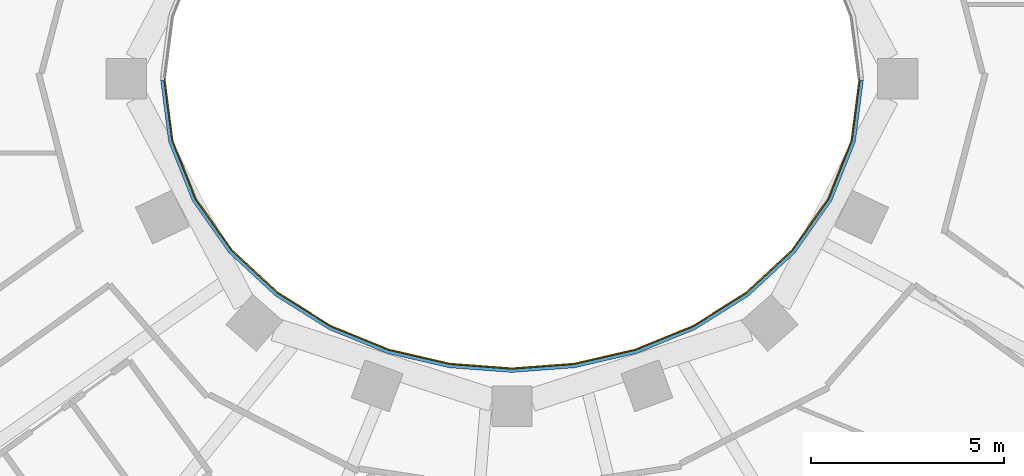
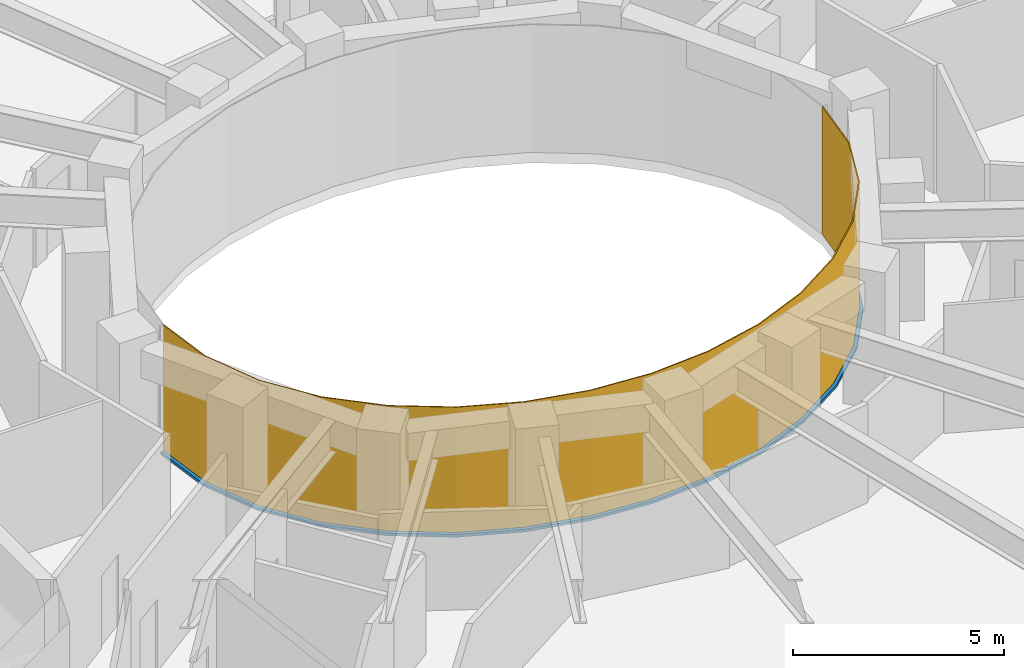
# One storey, part 10 of 16: 1 curtain wall, 1 member.
"""IFC4 building model written with IfcOpenShell, lengths in metres."""

from ifc_helpers import new_model, si_unit, direction, frame, origin, place, context, subcontext, project, spatial, polyline, outline, extrude, material, layer, layer_set, type_object, element, aggregate, save


model = new_model("IFC4")

# Units and contexts
model_context = context("Model", 3, precision=1e-05, world=origin(), true_north=direction((0.0, 1.0)))
body_context = subcontext(model_context, "Body", "Model", "MODEL_VIEW")
ifc_project = project(units=[si_unit("LENGTHUNIT", "METRE"), si_unit("AREAUNIT", "SQUARE_METRE"), si_unit("VOLUMEUNIT", "CUBIC_METRE"), si_unit("PLANEANGLEUNIT", "RADIAN"), si_unit("MASSUNIT", "GRAM", prefix="KILO")], contexts=[model_context])

# Member
ifc_material_1 = material(Name="Steel S355 fire-resisting frame", Category="steel")
member_type = type_object("IfcMemberType", Name="ENV-TRANSOM-W", PredefinedType="USERDEFINED", material=ifc_material_1)
site_placement = place(None, origin())
building_placement = place(site_placement, origin())
storey_placement = place(building_placement, frame((0.0, 0.0, 178.0)))
member_placement = place(storey_placement, origin())
member = element("IfcMember", 1, at=member_placement, type_object=member_type, Name="Transom W well 17-01", ObjectType="TRANSOM", PredefinedType="USERDEFINED", context=body_context, shape_type="SweptSolid", body=[
    extrude(outline(polyline([(-9.119384765625, -0.02783203125), (-8.910400390625, -1.63623046875), (-8.29833984375, -3.167236328125), (-7.35107421875, -4.5146484375), (-6.1455078125, -5.6337890625), (-4.75341796875, -6.50634765625), (-3.233642578125, -7.127685546875), (-1.635498046875, -7.498779296875), (0.0, -7.622314453125), (1.635498046875, -7.498779296875), (3.233642578125, -7.127685546875), (4.75341796875, -6.50634765625), (6.1455078125, -5.6337890625), (7.35107421875, -4.5146484375), (8.29833984375, -3.167236328125), (8.910400390625, -1.63623046875), (9.119384765625, -0.02783203125), (9.02880859375, -0.02783203125), (8.822509765625, -1.61328125), (8.21875, -3.124267578125), (7.282958984375, -4.455078125), (6.090576171875, -5.56201171875), (4.712158203125, -6.426025390625), (3.206298828125, -7.04150390625), (1.621826171875, -7.40966796875), (0.0, -7.531982421875), (-1.621826171875, -7.40966796875), (-3.206298828125, -7.04150390625), (-4.712158203125, -6.426025390625), (-6.090576171875, -5.56201171875), (-7.282958984375, -4.455078125), (-8.21875, -3.124267578125), (-8.822509765625, -1.61328125), (-9.02880859375, -0.02783203125), (-9.119384765625, -0.02783203125)])), origin(), (0.0, 0.0, 1.0), 0.080078125),
])

# Site, building, storey
site = spatial("IfcSite", under=ifc_project, at=site_placement, CompositionType="ELEMENT")
building = spatial("IfcBuilding", under=site, at=building_placement, Name="Noorbagh Ring Tower", CompositionType="ELEMENT")
storey = spatial("IfcBuildingStorey", under=building, at=storey_placement, Name="L41", CompositionType="ELEMENT", Elevation=178.0)

# Curtain wall
ifc_material_2 = material(Name="Glass fire-resisting E60 laminated", Category="glass")
ifc_layer = layer(ifc_material_2, 0.031982421875)
ifc_layer_set = layer_set([ifc_layer], Name="Glass fire-resisting E60 laminated")
curtain_wall_type = type_object("IfcCurtainWallType", Name="ENV-CW-W", PredefinedType="NOTDEFINED", material=ifc_layer_set)
curtain_wall_placement = place(storey_placement, origin())
curtain_wall = element("IfcCurtainWall", 2, at=curtain_wall_placement, inside=storey, type_object=curtain_wall_type, Name="Curtain wall W W17", PredefinedType="NOTDEFINED", context=body_context, shape_type="SweptSolid", body=[
    extrude(outline(polyline([(-9.0322265625, 0.0), (-8.822509765625, -1.61328125), (-8.21875, -3.124267578125), (-7.282958984375, -4.455078125), (-6.090576171875, -5.56201171875), (-4.712158203125, -6.426025390625), (-3.206298828125, -7.04150390625), (-1.621826171875, -7.40966796875), (0.0, -7.531982421875), (1.621826171875, -7.40966796875), (3.206298828125, -7.04150390625), (4.712158203125, -6.426025390625), (6.090576171875, -5.56201171875), (7.282958984375, -4.455078125), (8.21875, -3.124267578125), (8.822509765625, -1.61328125), (9.0322265625, 0.0), (9.0, 0.0), (8.79150390625, -1.605224609375), (8.1904296875, -3.10888671875), (7.2587890625, -4.43408203125), (6.071044921875, -5.53662109375), (4.697509765625, -6.3974609375), (3.196533203125, -7.010986328125), (1.6171875, -7.3779296875), (0.0, -7.5), (-1.6171875, -7.3779296875), (-3.196533203125, -7.010986328125), (-4.697509765625, -6.3974609375), (-6.071044921875, -5.53662109375), (-7.2587890625, -4.43408203125), (-8.1904296875, -3.10888671875), (-8.79150390625, -1.605224609375), (-9.0, 0.0), (-9.0322265625, 0.0)])), origin(), (0.0, 0.0, 1.0), 3.699951171875),
])

aggregate(curtain_wall, [member])

save(model, "model.ifc")
